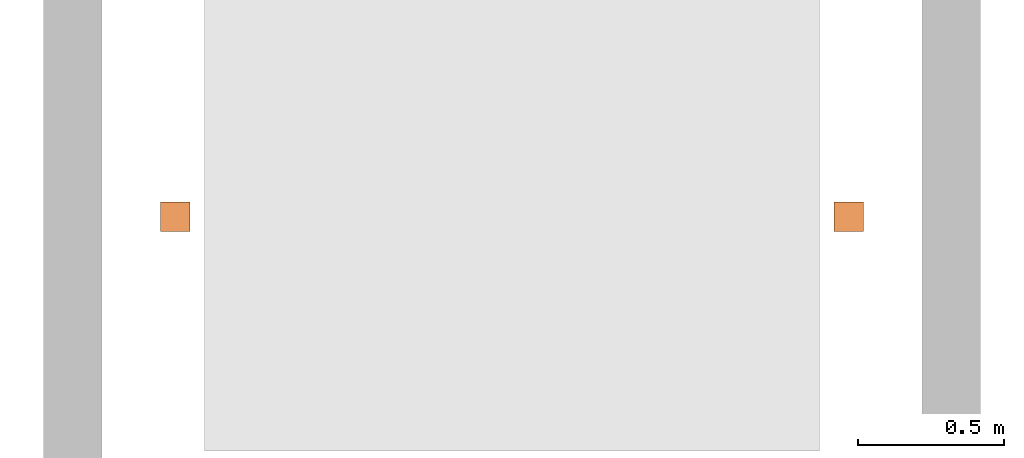
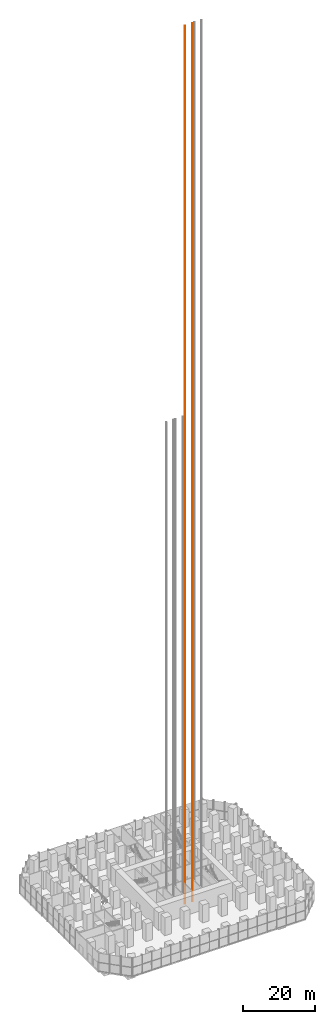
# One storey, part 19 of 21: 1 proxy.
"""IFC4 building model written with IfcOpenShell, lengths in metres."""

from ifc_helpers import new_model, si_unit, direction, frame, origin, origin_2d, place, context, subcontext, project, spatial, rectangle, extrude, material, type_object, element, save


model = new_model("IFC4")

# Units and contexts
model_context = context("Model", 3, precision=1e-05, world=origin(), true_north=direction((0.0, 1.0)))
body_context = subcontext(model_context, "Body", "Model", "MODEL_VIEW")
ifc_project = project(units=[si_unit("LENGTHUNIT", "METRE"), si_unit("AREAUNIT", "SQUARE_METRE"), si_unit("VOLUMEUNIT", "CUBIC_METRE"), si_unit("PLANEANGLEUNIT", "RADIAN"), si_unit("MASSUNIT", "GRAM", prefix="KILO")], contexts=[model_context])

# Site, building, storey
site_placement = place(None, origin())
site = spatial("IfcSite", under=ifc_project, at=site_placement, CompositionType="ELEMENT")
building_placement = place(site_placement, origin())
building = spatial("IfcBuilding", under=site, at=building_placement, Name="Highveld Stack Headquarters", CompositionType="ELEMENT")
storey_placement = place(building_placement, origin())
storey = spatial("IfcBuildingStorey", under=building, at=storey_placement, Name="L00", CompositionType="ELEMENT", Elevation=0.0)

# Proxy
ifc_material = material(Name="Galvanised steel guide rails", Category="steel")
building_element_proxy_type = type_object("IfcBuildingElementProxyType", Name="LIFT GUIDE RAIL FRAME", PredefinedType="USERDEFINED", material=ifc_material)
proxy_placement = place(storey_placement, frame((6.35009765625, -1.0, -1.199951171875), z_axis=(0.0, 0.0, 1.0), x_axis=(1.0, 0.0, 0.0)))
element("IfcBuildingElementProxy", 1, at=proxy_placement, inside=storey, type_object=building_element_proxy_type, Name="Guide rails C1", ObjectType="LIFT GUIDE RAILS", PredefinedType="USERDEFINED", context=body_context, shape_type="SweptSolid", body=[
    extrude(rectangle(XDim=0.10009765625, YDim=0.10009765625, at=origin_2d()), origin(), (0.0, 0.0, 1.0), 296.0),
    extrude(rectangle(XDim=0.10009765625, YDim=0.10009765625, at=origin_2d()), frame((2.2998046875, 0.0, 0.0)), (0.0, 0.0, 1.0), 296.0),
])

save(model, "model.ifc")
